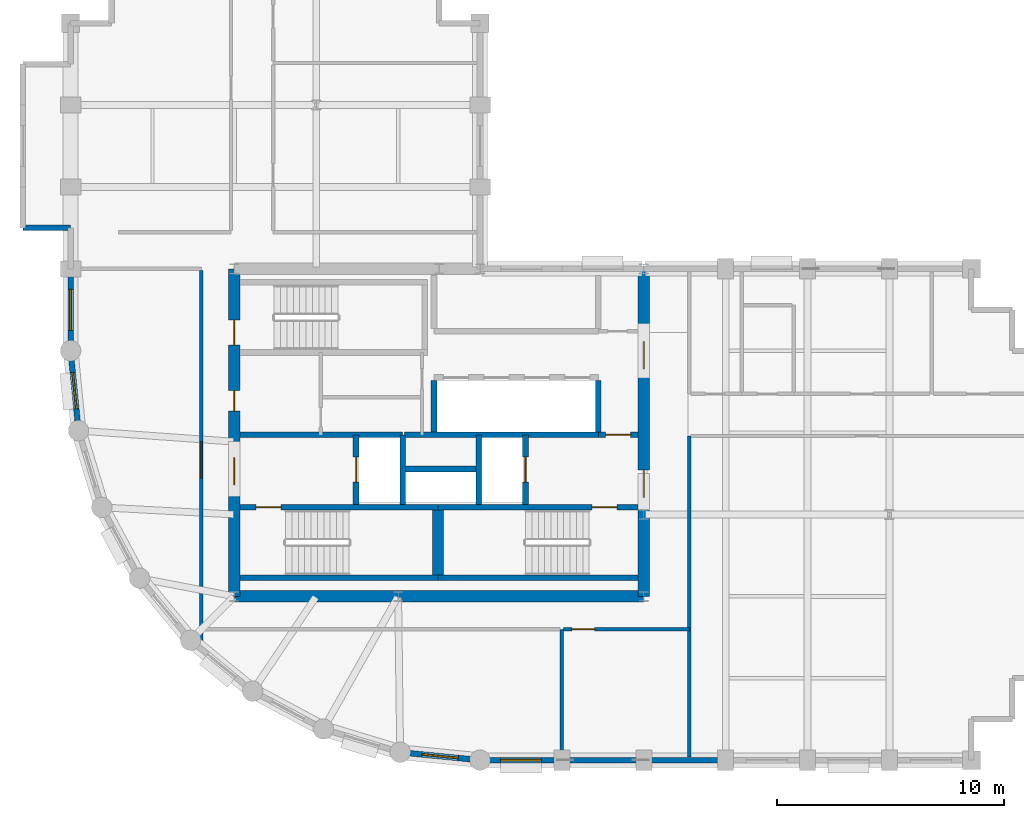
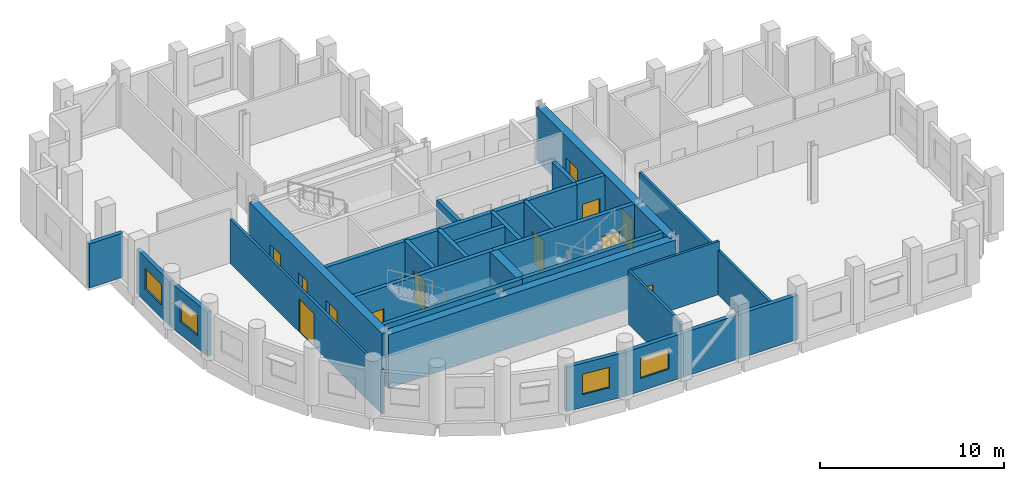
# One storey, part 3 of 8: 29 walls, 12 doors, 4 windows, 16 openings.
"""IFC4 building model written with IfcOpenShell, lengths in metres."""

from ifc_helpers import new_model, si_unit, direction, frame, frame_2d, origin, place, context, subcontext, project, spatial, rectangle, extrude, material, layer, layer_set, type_object, element, fill, save


model = new_model("IFC4")

# Units and contexts
model_context = context("Model", 3, precision=1e-05, world=origin(), true_north=direction((0.0, 1.0)))
body_context = subcontext(model_context, "Body", "Model", "MODEL_VIEW")
ifc_project = project(units=[si_unit("LENGTHUNIT", "METRE"), si_unit("AREAUNIT", "SQUARE_METRE"), si_unit("VOLUMEUNIT", "CUBIC_METRE"), si_unit("PLANEANGLEUNIT", "RADIAN"), si_unit("MASSUNIT", "GRAM", prefix="KILO")], contexts=[model_context])

# Site, building, storey
site_placement = place(None, origin())
site = spatial("IfcSite", under=ifc_project, at=site_placement, CompositionType="ELEMENT")
building_placement = place(site_placement, origin())
building = spatial("IfcBuilding", under=site, at=building_placement, Name="Solnavia Interchange Tower", CompositionType="ELEMENT")
storey_placement = place(building_placement, frame((0.0, 0.0, 190.0)))
storey = spatial("IfcBuildingStorey", under=building, at=storey_placement, Name="L47", CompositionType="ELEMENT", Elevation=190.0)

# Wall, opening, window
ifc_material_1 = material(Name="Concrete C40/50", Category="concrete")
ifc_layer_1 = layer(ifc_material_1, 0.25)
ifc_layer_set_1 = layer_set([ifc_layer_1], Name="Concrete C40/50")
wall_type_1 = type_object("IfcWallType", Name="Wall-ExtSpandrel-250", PredefinedType="STANDARD", material=ifc_layer_set_1)
wall_1_placement = place(storey_placement, frame((28.800048828125, 3.60009765625, 0.0), z_axis=(0.0, 0.0, 1.0), x_axis=(-1.0, 0.0, 0.0)))
wall_1 = element("IfcWall", 1, at=wall_1_placement, inside=storey, type_object=wall_type_1, Name="EXW-L47-01 Exterior precast spandrel wall", PredefinedType="STANDARD", context=body_context, shape_type="SweptSolid", body=[
    extrude(rectangle(XDim=3.60009765625, YDim=0.25, at=frame_2d((1.800048828125, 0.0))), origin(), (0.0, 0.0, 1.0), 2.929931640625),
])
opening_1_placement = place(wall_1_placement, frame((0.89990234375, 0.0, 0.85009765625)))
opening_1 = element("IfcOpeningElement", 2, at=opening_1_placement, cuts=wall_1, Name="Opening WIN-02", PredefinedType="OPENING", context=body_context, shape_type="SweptSolid", body=[
    extrude(rectangle(XDim=1.800048828125, YDim=1.35009765625, at=frame_2d((0.89990234375, 0.675048828125))), frame((0.0, 0.135009765625, 0.0), z_axis=(0.0, -1.0, 0.0), x_axis=(1.0, 0.0, 0.0)), (0.0, 0.0, 1.0), 0.27001953125),
])
ifc_material_2 = material(Name="Thermal-Break Aluminium & Low-E Glass", Category="aluminium")
window_type_1 = type_object("IfcWindowType", Name="Window-Ribbon-1800x1350", PartitioningType="SINGLE_PANEL", PredefinedType="WINDOW", material=ifc_material_2)
window_1_placement = place(opening_1_placement, origin())
window_1 = element("IfcWindow", 3, at=window_1_placement, inside=storey, type_object=window_type_1, Name="WIN-L47-01 Facade ribbon window", OverallHeight=1.35009765625, OverallWidth=1.800048828125, PartitioningType="SINGLE_PANEL", PredefinedType="WINDOW", context=body_context, shape_type="SweptSolid", body=[
    extrude(rectangle(XDim=1.800048828125, YDim=1.35009765625, at=frame_2d((0.89990234375, 0.675048828125))), frame((0.0, 0.030029296875, 0.0), z_axis=(0.0, -1.0, 0.0), x_axis=(1.0, 0.0, 0.0)), (0.0, 0.0, 1.0), 0.06005859375),
])
fill(opening_1, window_1)

# Walls
wall_2_placement = place(storey_placement, frame((32.39990234375, 3.60009765625, 0.0), z_axis=(0.0, 0.0, 1.0), x_axis=(-1.0, 0.0, 0.0)))
element("IfcWall", 4, at=wall_2_placement, inside=storey, type_object=wall_type_1, Name="EXW-L47-02 Exterior precast spandrel wall", PredefinedType="STANDARD", context=body_context, shape_type="SweptSolid", body=[
    extrude(rectangle(XDim=3.599853515625, YDim=0.25, at=frame_2d((1.7998046875, 0.0))), origin(), (0.0, 0.0, 1.0), 2.929931640625),
])
wall_3_placement = place(storey_placement, frame((36.0, 3.60009765625, 0.0), z_axis=(0.0, 0.0, 1.0), x_axis=(-1.0, 0.0, 0.0)))
element("IfcWall", 5, at=wall_3_placement, inside=storey, type_object=wall_type_1, Name="EXW-L47-03 Exterior precast spandrel wall", PredefinedType="STANDARD", context=body_context, shape_type="SweptSolid", body=[
    extrude(rectangle(XDim=3.60009765625, YDim=0.25, at=frame_2d((1.800048828125, 0.0))), origin(), (0.0, 0.0, 1.0), 2.929931640625),
])
wall_4_placement = place(storey_placement, frame((5.10009765625, 27.0, 0.0), z_axis=(0.0, 0.0, 1.0), x_axis=(1.0, 0.0, 0.0)))
element("IfcWall", 6, at=wall_4_placement, inside=storey, type_object=wall_type_1, Name="EXW-L47-44 Exterior precast spandrel wall", PredefinedType="STANDARD", context=body_context, shape_type="SweptSolid", body=[
    extrude(rectangle(XDim=2.099853515625, YDim=0.25, at=frame_2d((1.0498046875, 0.0))), origin(), (0.0, 0.0, 1.0), 2.929931640625),
])

# Wall, opening, window
wall_5_placement = place(storey_placement, frame((7.199951171875, 21.60009765625, 0.0), z_axis=(0.0, 0.0, 1.0), x_axis=(0.0, 1.0, 0.0)))
wall_5 = element("IfcWall", 7, at=wall_5_placement, inside=storey, type_object=wall_type_1, Name="EXW-L47-46 Exterior precast spandrel wall", PredefinedType="STANDARD", context=body_context, shape_type="SweptSolid", body=[
    extrude(rectangle(XDim=3.599853515625, YDim=0.25, at=frame_2d((1.7998046875, 0.0))), origin(), (0.0, 0.0, 1.0), 2.929931640625),
])
opening_2_placement = place(wall_5_placement, frame((0.89990234375, 0.0, 0.85009765625)))
opening_2 = element("IfcOpeningElement", 8, at=opening_2_placement, cuts=wall_5, Name="Opening WIN-02", PredefinedType="OPENING", context=body_context, shape_type="SweptSolid", body=[
    extrude(rectangle(XDim=1.800048828125, YDim=1.35009765625, at=frame_2d((0.89990234375, 0.675048828125))), frame((0.0, 0.135009765625, 0.0), z_axis=(0.0, -1.0, 0.0), x_axis=(1.0, 0.0, 0.0)), (0.0, 0.0, 1.0), 0.27001953125),
])
window_2_placement = place(opening_2_placement, origin())
window_2 = element("IfcWindow", 9, at=window_2_placement, inside=storey, type_object=window_type_1, Name="WIN-L47-46 Facade ribbon window", OverallHeight=1.35009765625, OverallWidth=1.800048828125, PartitioningType="SINGLE_PANEL", PredefinedType="WINDOW", context=body_context, shape_type="SweptSolid", body=[
    extrude(rectangle(XDim=1.800048828125, YDim=1.35009765625, at=frame_2d((0.89990234375, 0.675048828125))), frame((0.0, 0.030029296875, 0.0), z_axis=(0.0, -1.0, 0.0), x_axis=(1.0, 0.0, 0.0)), (0.0, 0.0, 1.0), 0.06005859375),
])
fill(opening_2, window_2)

wall_6_placement = place(storey_placement, frame((7.5458984375, 18.087890625, 0.0), z_axis=(0.0, 0.0, 1.0), x_axis=(-0.09802417461, 0.995184033831, 0.0)))
wall_6 = element("IfcWall", 10, at=wall_6_placement, inside=storey, type_object=wall_type_1, Name="EXW-L47-47 Exterior precast spandrel wall", PredefinedType="STANDARD", context=body_context, shape_type="SweptSolid", body=[
    extrude(rectangle(XDim=3.529296875, YDim=0.25, at=frame_2d((1.7646484375, 0.0))), origin(), (0.0, 0.0, 1.0), 2.929931640625),
])
opening_3_placement = place(wall_6_placement, frame((0.965087890625, 0.0, 0.85009765625)))
opening_3 = element("IfcOpeningElement", 11, at=opening_3_placement, cuts=wall_6, Name="Opening WIN-04", PredefinedType="OPENING", context=body_context, shape_type="SweptSolid", body=[
    extrude(rectangle(XDim=1.60009765625, YDim=1.35009765625, at=frame_2d((0.800048828125, 0.675048828125))), frame((0.0, 0.135009765625, 0.0), z_axis=(0.0, -1.0, 0.0), x_axis=(1.0, 0.0, 0.0)), (0.0, 0.0, 1.0), 0.27001953125),
])
window_type_2 = type_object("IfcWindowType", Name="Window-Drum-1600x1350", PartitioningType="SINGLE_PANEL", PredefinedType="WINDOW", material=ifc_material_2)
window_3_placement = place(opening_3_placement, origin())
window_3 = element("IfcWindow", 12, at=window_3_placement, inside=storey, type_object=window_type_2, Name="WIN-L47-47 Facade ribbon window", OverallHeight=1.35009765625, OverallWidth=1.60009765625, PartitioningType="SINGLE_PANEL", PredefinedType="WINDOW", context=body_context, shape_type="SweptSolid", body=[
    extrude(rectangle(XDim=1.60009765625, YDim=1.35009765625, at=frame_2d((0.800048828125, 0.675048828125))), frame((0.0, 0.030029296875, 0.0), z_axis=(0.0, -1.0, 0.0), x_axis=(1.0, 0.0, 0.0)), (0.0, 0.0, 1.0), 0.06005859375),
])
fill(opening_3, window_3)

wall_7_placement = place(storey_placement, frame((25.199951171875, 3.60009765625, 0.0), z_axis=(0.0, 0.0, 1.0), x_axis=(-0.995183369056, 0.098030923459, 0.0)))
wall_7 = element("IfcWall", 13, at=wall_7_placement, inside=storey, type_object=wall_type_1, Name="EXW-L47-54 Exterior precast spandrel wall", PredefinedType="STANDARD", context=body_context, shape_type="SweptSolid", body=[
    extrude(rectangle(XDim=3.529052734375, YDim=0.25, at=frame_2d((1.7646484375, 0.0))), origin(), (0.0, 0.0, 1.0), 2.929931640625),
])
opening_4_placement = place(wall_7_placement, frame((0.965087890625, 0.0, 0.85009765625)))
opening_4 = element("IfcOpeningElement", 14, at=opening_4_placement, cuts=wall_7, Name="Opening WIN-04", PredefinedType="OPENING", context=body_context, shape_type="SweptSolid", body=[
    extrude(rectangle(XDim=1.60009765625, YDim=1.35009765625, at=frame_2d((0.800048828125, 0.675048828125))), frame((0.0, 0.135009765625, 0.0), z_axis=(0.0, -1.0, 0.0), x_axis=(1.0, 0.0, 0.0)), (0.0, 0.0, 1.0), 0.27001953125),
])
window_4_placement = place(opening_4_placement, origin())
window_4 = element("IfcWindow", 15, at=window_4_placement, inside=storey, type_object=window_type_2, Name="WIN-L47-54 Facade ribbon window", OverallHeight=1.35009765625, OverallWidth=1.60009765625, PartitioningType="SINGLE_PANEL", PredefinedType="WINDOW", context=body_context, shape_type="SweptSolid", body=[
    extrude(rectangle(XDim=1.60009765625, YDim=1.35009765625, at=frame_2d((0.800048828125, 0.675048828125))), frame((0.0, 0.030029296875, 0.0), z_axis=(0.0, -1.0, 0.0), x_axis=(1.0, 0.0, 0.0)), (0.0, 0.0, 1.0), 0.06005859375),
])
fill(opening_4, window_4)

# Wall
ifc_material_3 = material(Name="Gypsum Plasterboard & Steel Stud", Category="steel")
ifc_layer_2 = layer(ifc_material_3, 0.14990234375)
ifc_layer_set_2 = layer_set([ifc_layer_2], Name="Gypsum Plasterboard & Steel Stud")
wall_type_2 = type_object("IfcWallType", Name="Wall-Partition-150", PredefinedType="PARTITIONING", material=ifc_layer_set_2)
wall_8_placement = place(storey_placement, frame((28.800048828125, 9.35009765625, 0.0), z_axis=(0.0, 0.0, 1.0), x_axis=(0.0, -1.0, 0.0)))
element("IfcWall", 16, at=wall_8_placement, inside=storey, type_object=wall_type_2, Name="PTW-L47-08 Interior partition wall", PredefinedType="PARTITIONING", context=body_context, shape_type="SweptSolid", body=[
    extrude(rectangle(XDim=5.62109375, YDim=0.14990234375, at=frame_2d((2.810546875, 0.0))), origin(), (0.0, 0.0, 1.0), 3.534912109375),
])

# Wall, opening, door
wall_9_placement = place(storey_placement, frame((12.949951171875, 8.60888671875, 0.0), z_axis=(0.0, 0.0, 1.0), x_axis=(0.0, 1.0, 0.0)))
wall_9 = element("IfcWall", 17, at=wall_9_placement, inside=storey, type_object=wall_type_2, Name="PTW-L47-09 Interior partition wall", PredefinedType="PARTITIONING", context=body_context, shape_type="SweptSolid", body=[
    extrude(rectangle(XDim=16.51220703125, YDim=0.14990234375, at=frame_2d((8.256103515625, 0.0))), origin(), (0.0, 0.0, 1.0), 2.929931640625),
])
opening_5_placement = place(wall_9_placement, frame((7.39111328125, 0.0, 0.0)))
opening_5 = element("IfcOpeningElement", 18, at=opening_5_placement, cuts=wall_9, Name="Opening DR-08", PredefinedType="OPENING", context=body_context, shape_type="SweptSolid", body=[
    extrude(rectangle(XDim=1.60009765625, YDim=2.199951171875, at=frame_2d((0.800048828125, 1.10009765625))), frame((0.0, 0.0849609375, 0.0), z_axis=(0.0, -1.0, 0.0), x_axis=(1.0, 0.0, 0.0)), (0.0, 0.0, 1.0), 0.169921875),
])
ifc_material_4 = material(Name="Thermally Broken Aluminium & Toughened Glass", Category="aluminium")
door_type_1 = type_object("IfcDoorType", Name="Door-RetailDouble-1600x2200", OperationType="DOUBLE_DOOR_SINGLE_SWING", PredefinedType="DOOR", material=ifc_material_4)
door_1_placement = place(opening_5_placement, origin())
door_1 = element("IfcDoor", 19, at=door_1_placement, inside=storey, type_object=door_type_1, Name="DR-L47-03 Interior room door", OperationType="DOUBLE_DOOR_SINGLE_SWING", OverallHeight=2.199951171875, OverallWidth=1.60009765625, PredefinedType="DOOR", context=body_context, shape_type="SweptSolid", body=[
    extrude(rectangle(XDim=1.60009765625, YDim=2.199951171875, at=frame_2d((0.800048828125, 1.10009765625))), frame((0.0, 0.02490234375, 0.0), z_axis=(0.0, -1.0, 0.0), x_axis=(1.0, 0.0, 0.0)), (0.0, 0.0, 1.0), 0.050048828125),
])
fill(opening_5, door_1)

wall_10_placement = place(storey_placement, frame((28.87890625, 9.35009765625, 0.0), z_axis=(0.0, 0.0, 1.0), x_axis=(1.0, 0.0, 0.0)))
wall_10 = element("IfcWall", 20, at=wall_10_placement, inside=storey, type_object=wall_type_2, Name="PTW-L47-11 Interior partition wall", PredefinedType="PARTITIONING", context=body_context, shape_type="SweptSolid", body=[
    extrude(rectangle(XDim=5.52099609375, YDim=0.14990234375, at=frame_2d((2.760498046875, 0.0))), origin(), (0.0, 0.0, 1.0), 3.534912109375),
])
opening_6_placement = place(wall_10_placement, frame((0.360107421875, 0.0, 0.0)))
opening_6 = element("IfcOpeningElement", 21, at=opening_6_placement, cuts=wall_10, Name="Opening DR-07", PredefinedType="OPENING", context=body_context, shape_type="SweptSolid", body=[
    extrude(rectangle(XDim=1.0, YDim=2.10009765625, at=frame_2d((0.5, 1.050048828125))), frame((0.0, 0.0849609375, 0.0), z_axis=(0.0, -1.0, 0.0), x_axis=(1.0, 0.0, 0.0)), (0.0, 0.0, 1.0), 0.169921875),
])
ifc_material_5 = material(Name="Timber & Acoustic Glazed Office Door", Category="wood")
door_type_2 = type_object("IfcDoorType", Name="Door-Office-1000x2100", OperationType="SINGLE_SWING_RIGHT", PredefinedType="DOOR", material=ifc_material_5)
door_2_placement = place(opening_6_placement, origin())
door_2 = element("IfcDoor", 22, at=door_2_placement, inside=storey, type_object=door_type_2, Name="DR-L47-04 Interior room door", OperationType="SINGLE_SWING_LEFT", OverallHeight=2.10009765625, OverallWidth=1.0, PredefinedType="DOOR", context=body_context, shape_type="SweptSolid", body=[
    extrude(rectangle(XDim=1.0, YDim=2.10009765625, at=frame_2d((0.5, 1.050048828125))), frame((0.0, 0.02490234375, 0.0), z_axis=(0.0, -1.0, 0.0), x_axis=(1.0, 0.0, 0.0)), (0.0, 0.0, 1.0), 0.050048828125),
])
fill(opening_6, door_2)

# Walls
wall_11_placement = place(storey_placement, frame((34.39990234375, 3.72900390625, 0.0), z_axis=(0.0, 0.0, 1.0), x_axis=(0.0, 1.0, 0.0)))
element("IfcWall", 23, at=wall_11_placement, inside=storey, type_object=wall_type_2, Name="PTW-L47-12 Interior partition wall", PredefinedType="PARTITIONING", context=body_context, shape_type="SweptSolid", body=[
    extrude(rectangle(XDim=14.12109375, YDim=0.14990234375, at=frame_2d((7.060546875, 0.0))), origin(), (0.0, 0.0, 1.0), 2.929931640625),
])
ifc_layer_3 = layer(ifc_material_1, 0.25)
ifc_layer_set_3 = layer_set([ifc_layer_3], Name="Concrete C40/50")
wall_type_3 = type_object("IfcWallType", Name="Wall-ShaftCore-250", PredefinedType="SHEAR", material=ifc_layer_set_3)
wall_12_placement = place(storey_placement, frame((14.64990234375, 11.625, 0.0), z_axis=(0.0, 0.0, 1.0), x_axis=(1.0, 0.0, 0.0)))
element("IfcWall", 24, at=wall_12_placement, inside=storey, type_object=wall_type_3, Name="SHW-L47-ST1S Core shear wall", PredefinedType="SHEAR", context=body_context, shape_type="SweptSolid", body=[
    extrude(rectangle(XDim=8.7001953125, YDim=0.25, at=frame_2d((4.35009765625, 0.0))), origin(), (0.0, 0.0, 1.0), 3.550048828125),
])

# Wall, opening, door
wall_13_placement = place(storey_placement, frame((14.64990234375, 14.715087890625, 0.0), z_axis=(0.0, 0.0, 1.0), x_axis=(1.0, 0.0, 0.0)))
wall_13 = element("IfcWall", 25, at=wall_13_placement, inside=storey, type_object=wall_type_3, Name="SHW-L47-ST1N Core shear wall", PredefinedType="SHEAR", context=body_context, shape_type="SweptSolid", body=[
    extrude(rectangle(XDim=8.7001953125, YDim=0.25, at=frame_2d((4.35009765625, 0.0))), origin(), (0.0, 0.0, 1.0), 3.550048828125),
])
opening_7_placement = place(wall_13_placement, frame((0.705078125, 0.0, 0.0)))
opening_7 = element("IfcOpeningElement", 26, at=opening_7_placement, cuts=wall_13, Name="Opening DR-01", PredefinedType="OPENING", context=body_context, shape_type="SweptSolid", body=[
    extrude(rectangle(XDim=1.10009765625, YDim=2.10009765625, at=frame_2d((0.550048828125, 1.050048828125))), frame((0.0, 0.135009765625, 0.0), z_axis=(0.0, -1.0, 0.0), x_axis=(1.0, 0.0, 0.0)), (0.0, 0.0, 1.0), 0.27001953125),
])
ifc_material_6 = material(Name="Steel Fire-Rated Leaf & Frame", Category="steel")
door_type_3 = type_object("IfcDoorType", Name="Door-StairFire-1100x2100", OperationType="SINGLE_SWING_LEFT", PredefinedType="DOOR", material=ifc_material_6)
door_3_placement = place(opening_7_placement, origin())
door_3 = element("IfcDoor", 27, at=door_3_placement, inside=storey, type_object=door_type_3, Name="DR-L47-ST1 Core fire door", OperationType="SINGLE_SWING_LEFT", OverallHeight=2.10009765625, OverallWidth=1.10009765625, PredefinedType="DOOR", context=body_context, shape_type="SweptSolid", body=[
    extrude(rectangle(XDim=1.10009765625, YDim=2.10009765625, at=frame_2d((0.550048828125, 1.050048828125))), frame((0.0, 0.02490234375, 0.0), z_axis=(0.0, -1.0, 0.0), x_axis=(1.0, 0.0, 0.0)), (0.0, 0.0, 1.0), 0.050048828125),
])
fill(opening_7, door_3)

# Wall
wall_14_placement = place(storey_placement, frame((23.35009765625, 11.625, 0.0), z_axis=(0.0, 0.0, 1.0), x_axis=(1.0, 0.0, 0.0)))
element("IfcWall", 28, at=wall_14_placement, inside=storey, type_object=wall_type_3, Name="SHW-L47-ST2S Core shear wall", PredefinedType="SHEAR", context=body_context, shape_type="SweptSolid", body=[
    extrude(rectangle(XDim=8.7998046875, YDim=0.25, at=frame_2d((4.39990234375, 0.0))), origin(), (0.0, 0.0, 1.0), 3.550048828125),
])

# Wall, opening, door
wall_15_placement = place(storey_placement, frame((23.35009765625, 14.715087890625, 0.0), z_axis=(0.0, 0.0, 1.0), x_axis=(1.0, 0.0, 0.0)))
wall_15 = element("IfcWall", 29, at=wall_15_placement, inside=storey, type_object=wall_type_3, Name="SHW-L47-ST2N Core shear wall", PredefinedType="SHEAR", context=body_context, shape_type="SweptSolid", body=[
    extrude(rectangle(XDim=8.7998046875, YDim=0.25, at=frame_2d((4.39990234375, 0.0))), origin(), (0.0, 0.0, 1.0), 3.550048828125),
])
opening_8_placement = place(wall_15_placement, frame((6.77490234375, 0.0, 0.0)))
opening_8 = element("IfcOpeningElement", 30, at=opening_8_placement, cuts=wall_15, Name="Opening DR-01", PredefinedType="OPENING", context=body_context, shape_type="SweptSolid", body=[
    extrude(rectangle(XDim=1.10009765625, YDim=2.10009765625, at=frame_2d((0.550048828125, 1.050048828125))), frame((0.0, 0.135009765625, 0.0), z_axis=(0.0, -1.0, 0.0), x_axis=(1.0, 0.0, 0.0)), (0.0, 0.0, 1.0), 0.27001953125),
])
door_4_placement = place(opening_8_placement, origin())
door_4 = element("IfcDoor", 31, at=door_4_placement, inside=storey, type_object=door_type_3, Name="DR-L47-ST2 Core fire door", OperationType="SINGLE_SWING_LEFT", OverallHeight=2.10009765625, OverallWidth=1.10009765625, PredefinedType="DOOR", context=body_context, shape_type="SweptSolid", body=[
    extrude(rectangle(XDim=1.10009765625, YDim=2.10009765625, at=frame_2d((0.550048828125, 1.050048828125))), frame((0.0, 0.02490234375, 0.0), z_axis=(0.0, -1.0, 0.0), x_axis=(1.0, 0.0, 0.0)), (0.0, 0.0, 1.0), 0.050048828125),
])
fill(opening_8, door_4)

# Wall
ifc_layer_4 = layer(ifc_material_1, 0.25)
ifc_layer_set_4 = layer_set([ifc_layer_4], Name="Concrete C40/50")
wall_type_4 = type_object("IfcWallType", Name="Wall-ShaftPart-250", PredefinedType="PARTITIONING", material=ifc_layer_set_4)
wall_16_placement = place(storey_placement, frame((14.64990234375, 17.89990234375, 0.0), z_axis=(0.0, 0.0, 1.0), x_axis=(1.0, 0.0, 0.0)))
element("IfcWall", 32, at=wall_16_placement, inside=storey, type_object=wall_type_4, Name="SHW-L47-FFLW-N Core shaft wall", PredefinedType="PARTITIONING", context=body_context, shape_type="SweptSolid", body=[
    extrude(rectangle(XDim=7.150146484375, YDim=0.25, at=frame_2d((3.5751953125, 0.0))), origin(), (0.0, 0.0, 1.0), 3.534912109375),
])

# Wall, opening, door
wall_17_placement = place(storey_placement, frame((19.75, 14.840087890625, 0.0), z_axis=(0.0, 0.0, 1.0), x_axis=(0.0, 1.0, 0.0)))
wall_17 = element("IfcWall", 33, at=wall_17_placement, inside=storey, type_object=wall_type_4, Name="SHW-L47-FFL1-W Core shaft wall", PredefinedType="PARTITIONING", context=body_context, shape_type="SweptSolid", body=[
    extrude(rectangle(XDim=3.059814453125, YDim=0.25, at=frame_2d((1.52978515625, 0.0))), origin(), (0.0, 0.0, 1.0), 3.534912109375),
])
opening_9_placement = place(wall_17_placement, frame((0.97998046875, 0.0, 0.0)))
opening_9 = element("IfcOpeningElement", 34, at=opening_9_placement, cuts=wall_17, Name="Opening LD-01", PredefinedType="OPENING", context=body_context, shape_type="SweptSolid", body=[
    extrude(rectangle(XDim=1.10009765625, YDim=2.10009765625, at=frame_2d((0.550048828125, 1.050048828125))), frame((0.0, 0.135009765625, 0.0), z_axis=(0.0, -1.0, 0.0), x_axis=(1.0, 0.0, 0.0)), (0.0, 0.0, 1.0), 0.27001953125),
])
ifc_material_7 = material(Name="Brushed Stainless Steel Sliding Door", Category="steel")
door_type_4 = type_object("IfcDoorType", Name="Door-LiftLanding-1100x2100", OperationType="SLIDING_TO_LEFT", PredefinedType="DOOR", material=ifc_material_7)
door_5_placement = place(opening_9_placement, origin())
door_5 = element("IfcDoor", 35, at=door_5_placement, inside=storey, type_object=door_type_4, Name="LD-L47-FFL1 Lift landing sliding door", OperationType="SLIDING_TO_LEFT", OverallHeight=2.10009765625, OverallWidth=1.10009765625, PredefinedType="DOOR", context=body_context, shape_type="SweptSolid", body=[
    extrude(rectangle(XDim=1.10009765625, YDim=2.10009765625, at=frame_2d((0.550048828125, 1.050048828125))), frame((0.0, 0.02490234375, 0.0), z_axis=(0.0, -1.0, 0.0), x_axis=(1.0, 0.0, 0.0)), (0.0, 0.0, 1.0), 0.050048828125),
])
fill(opening_9, door_5)

# Walls
wall_18_placement = place(storey_placement, frame((21.800048828125, 14.840087890625, 0.0), z_axis=(0.0, 0.0, 1.0), x_axis=(0.0, 1.0, 0.0)))
element("IfcWall", 36, at=wall_18_placement, inside=storey, type_object=wall_type_4, Name="SHW-L47-FFL1-E Core shaft wall", PredefinedType="PARTITIONING", context=body_context, shape_type="SweptSolid", body=[
    extrude(rectangle(XDim=3.059814453125, YDim=0.25, at=frame_2d((1.52978515625, 0.0))), origin(), (0.0, 0.0, 1.0), 3.534912109375),
])
wall_19_placement = place(storey_placement, frame((21.8798828125, 17.89990234375, 0.0), z_axis=(0.0, 0.0, 1.0), x_axis=(1.0, 0.0, 0.0)))
element("IfcWall", 37, at=wall_19_placement, inside=storey, type_object=wall_type_4, Name="SHW-L47-FFLE-N1 Core shaft wall", PredefinedType="PARTITIONING", context=body_context, shape_type="SweptSolid", body=[
    extrude(rectangle(XDim=8.52001953125, YDim=0.25, at=frame_2d((4.260009765625, 0.0))), origin(), (0.0, 0.0, 1.0), 3.534912109375),
])

# Wall, opening, door
wall_20_placement = place(storey_placement, frame((30.39990234375, 17.89990234375, 0.0), z_axis=(0.0, 0.0, 1.0), x_axis=(1.0, 0.0, 0.0)))
wall_20 = element("IfcWall", 38, at=wall_20_placement, inside=storey, type_object=wall_type_4, Name="SHW-L47-FFLE-N2 Core shaft wall", PredefinedType="PARTITIONING", context=body_context, shape_type="SweptSolid", body=[
    extrude(rectangle(XDim=1.75, YDim=0.25, at=frame_2d((0.875, 0.0))), origin(), (0.0, 0.0, 1.0), 3.534912109375),
])
opening_10_placement = place(wall_20_placement, frame((0.320068359375, 0.0, 0.0)))
opening_10 = element("IfcOpeningElement", 39, at=opening_10_placement, cuts=wall_20, Name="Opening DR-01", PredefinedType="OPENING", context=body_context, shape_type="SweptSolid", body=[
    extrude(rectangle(XDim=1.10009765625, YDim=2.10009765625, at=frame_2d((0.550048828125, 1.050048828125))), frame((0.0, 0.135009765625, 0.0), z_axis=(0.0, -1.0, 0.0), x_axis=(1.0, 0.0, 0.0)), (0.0, 0.0, 1.0), 0.27001953125),
])
door_6_placement = place(opening_10_placement, origin())
door_6 = element("IfcDoor", 40, at=door_6_placement, inside=storey, type_object=door_type_3, Name="DR-L47-LLC Core fire door", OperationType="SINGLE_SWING_LEFT", OverallHeight=2.10009765625, OverallWidth=1.10009765625, PredefinedType="DOOR", context=body_context, shape_type="SweptSolid", body=[
    extrude(rectangle(XDim=1.10009765625, YDim=2.10009765625, at=frame_2d((0.550048828125, 1.050048828125))), frame((0.0, 0.02490234375, 0.0), z_axis=(0.0, -1.0, 0.0), x_axis=(1.0, 0.0, 0.0)), (0.0, 0.0, 1.0), 0.050048828125),
])
fill(opening_10, door_6)

# Wall
wall_21_placement = place(storey_placement, frame((25.14990234375, 14.840087890625, 0.0), z_axis=(0.0, 0.0, 1.0), x_axis=(0.0, 1.0, 0.0)))
element("IfcWall", 41, at=wall_21_placement, inside=storey, type_object=wall_type_4, Name="SHW-L47-FFL2-W Core shaft wall", PredefinedType="PARTITIONING", context=body_context, shape_type="SweptSolid", body=[
    extrude(rectangle(XDim=3.059814453125, YDim=0.25, at=frame_2d((1.52978515625, 0.0))), origin(), (0.0, 0.0, 1.0), 3.534912109375),
])

# Wall, opening, door
wall_22_placement = place(storey_placement, frame((27.199951171875, 14.840087890625, 0.0), z_axis=(0.0, 0.0, 1.0), x_axis=(0.0, 1.0, 0.0)))
wall_22 = element("IfcWall", 42, at=wall_22_placement, inside=storey, type_object=wall_type_4, Name="SHW-L47-FFL2-E Core shaft wall", PredefinedType="PARTITIONING", context=body_context, shape_type="SweptSolid", body=[
    extrude(rectangle(XDim=3.059814453125, YDim=0.25, at=frame_2d((1.52978515625, 0.0))), origin(), (0.0, 0.0, 1.0), 3.534912109375),
])
opening_11_placement = place(wall_22_placement, frame((0.97998046875, 0.0, 0.0)))
opening_11 = element("IfcOpeningElement", 43, at=opening_11_placement, cuts=wall_22, Name="Opening LD-01", PredefinedType="OPENING", context=body_context, shape_type="SweptSolid", body=[
    extrude(rectangle(XDim=1.10009765625, YDim=2.10009765625, at=frame_2d((0.550048828125, 1.050048828125))), frame((0.0, 0.135009765625, 0.0), z_axis=(0.0, -1.0, 0.0), x_axis=(1.0, 0.0, 0.0)), (0.0, 0.0, 1.0), 0.27001953125),
])
door_7_placement = place(opening_11_placement, origin())
door_7 = element("IfcDoor", 44, at=door_7_placement, inside=storey, type_object=door_type_4, Name="LD-L47-FFL2 Lift landing sliding door", OperationType="SLIDING_TO_LEFT", OverallHeight=2.10009765625, OverallWidth=1.10009765625, PredefinedType="DOOR", context=body_context, shape_type="SweptSolid", body=[
    extrude(rectangle(XDim=1.10009765625, YDim=2.10009765625, at=frame_2d((0.550048828125, 1.050048828125))), frame((0.0, 0.02490234375, 0.0), z_axis=(0.0, -1.0, 0.0), x_axis=(1.0, 0.0, 0.0)), (0.0, 0.0, 1.0), 0.050048828125),
])
fill(opening_11, door_7)

# Walls
wall_23_placement = place(storey_placement, frame((21.800048828125, 16.39990234375, 0.0), z_axis=(0.0, 0.0, 1.0), x_axis=(1.0, 0.0, 0.0)))
element("IfcWall", 45, at=wall_23_placement, inside=storey, type_object=wall_type_4, Name="SHW-L47-MEP-N Core shaft wall", PredefinedType="PARTITIONING", context=body_context, shape_type="SweptSolid", body=[
    extrude(rectangle(XDim=3.349853515625, YDim=0.25, at=frame_2d((1.6748046875, 0.0))), origin(), (0.0, 0.0, 1.0), 3.534912109375),
])
for number, where, z_axis, x_axis, name in (
    (46, (23.179931640625, 18.02490234375, 0.0), (0.0, 0.0, 1.0), (0.0, 1.0, 0.0), "SHW-L47-B2W Core shaft wall"),
    (47, (30.39990234375, 18.02490234375, 0.0), (0.0, 0.0, 1.0), (0.0, 1.0, 0.0), "SHW-L47-B2E Core shaft wall"),
):
    element("IfcWall", number, at=place(storey_placement, frame(where, z_axis=z_axis, x_axis=x_axis)), inside=storey, type_object=wall_type_4, Name=name, PredefinedType="PARTITIONING", context=body_context, shape_type="SweptSolid", body=[
        extrude(rectangle(XDim=2.27001953125, YDim=0.25, at=frame_2d((1.135009765625, 0.0))), origin(), (0.0, 0.0, 1.0), 3.534912109375),
    ])
ifc_material_8 = material(Name="Concrete C60/75", Category="concrete")
ifc_layer_5 = layer(ifc_material_8, 0.5)
ifc_layer_set_5 = layer_set([ifc_layer_5], Name="Concrete C60/75")
wall_type_5 = type_object("IfcWallType", Name="Wall-ShearCore-500", PredefinedType="SHEAR", material=ifc_layer_set_5)
wall_24_placement = place(storey_placement, frame((14.39990234375, 10.800048828125, 0.0), z_axis=(0.0, 0.0, 1.0), x_axis=(1.0, 0.0, 0.0)))
element("IfcWall", 48, at=wall_24_placement, inside=storey, type_object=wall_type_5, Name="CRW-L47-S Core shear wall", PredefinedType="SHEAR", context=body_context, shape_type="SweptSolid", body=[
    extrude(rectangle(XDim=18.0, YDim=0.5, at=frame_2d((9.0, 0.0))), origin(), (0.0, 0.0, 1.0), 3.550048828125),
])

# Wall, openings, doors
wall_25_placement = place(storey_placement, frame((14.39990234375, 10.800048828125, 0.0), z_axis=(0.0, 0.0, 1.0), x_axis=(0.0, 1.0, 0.0)))
wall_25 = element("IfcWall", 49, at=wall_25_placement, inside=storey, type_object=wall_type_5, Name="CRW-L47-W Core shear wall", PredefinedType="SHEAR", context=body_context, shape_type="SweptSolid", body=[
    extrude(rectangle(XDim=14.39990234375, YDim=0.5, at=frame_2d((7.199951171875, 0.0))), origin(), (0.0, 0.0, 1.0), 3.550048828125),
])
opening_12_placement = place(wall_25_placement, frame((11.050048828125, 0.0, 0.0)))
opening_12 = element("IfcOpeningElement", 50, at=opening_12_placement, cuts=wall_25, Name="Opening DR-01", PredefinedType="OPENING", context=body_context, shape_type="SweptSolid", body=[
    extrude(rectangle(XDim=1.10009765625, YDim=2.10009765625, at=frame_2d((0.550048828125, 1.050048828125))), frame((0.0, 0.260009765625, 0.0), z_axis=(0.0, -1.0, 0.0), x_axis=(1.0, 0.0, 0.0)), (0.0, 0.0, 1.0), 0.52001953125),
])
opening_13_placement = place(wall_25_placement, frame((4.89990234375, 0.0, 0.0)))
opening_13 = element("IfcOpeningElement", 51, at=opening_13_placement, cuts=wall_25, Name="Opening DR-02", PredefinedType="OPENING", context=body_context, shape_type="SweptSolid", body=[
    extrude(rectangle(XDim=1.199951171875, YDim=2.10009765625, at=frame_2d((0.60009765625, 1.050048828125))), frame((0.0, 0.260009765625, 0.0), z_axis=(0.0, -1.0, 0.0), x_axis=(1.0, 0.0, 0.0)), (0.0, 0.0, 1.0), 0.52001953125),
])
opening_14_placement = place(wall_25_placement, frame((8.14990234375, 0.0, 0.0)))
opening_14 = element("IfcOpeningElement", 52, at=opening_14_placement, cuts=wall_25, Name="Opening DR-09", PredefinedType="OPENING", context=body_context, shape_type="SweptSolid", body=[
    extrude(rectangle(XDim=0.89990234375, YDim=2.10009765625, at=frame_2d((0.449951171875, 1.050048828125))), frame((0.0, 0.260009765625, 0.0), z_axis=(0.0, -1.0, 0.0), x_axis=(1.0, 0.0, 0.0)), (0.0, 0.0, 1.0), 0.52001953125),
])
ifc_material_9 = material(Name="Engineered Oak Veneer Door", Category="wood")
door_type_5 = type_object("IfcDoorType", Name="Door-Internal-900x2100", OperationType="SINGLE_SWING_LEFT", PredefinedType="DOOR", material=ifc_material_9)
door_8_placement = place(opening_14_placement, origin())
door_8 = element("IfcDoor", 53, at=door_8_placement, inside=storey, type_object=door_type_5, Name="DR-L47-CS1 Core fire door", OperationType="SINGLE_SWING_RIGHT", OverallHeight=2.10009765625, OverallWidth=0.89990234375, PredefinedType="DOOR", context=body_context, shape_type="SweptSolid", body=[
    extrude(rectangle(XDim=0.89990234375, YDim=2.10009765625, at=frame_2d((0.449951171875, 1.050048828125))), frame((0.0, 0.02490234375, 0.0), z_axis=(0.0, -1.0, 0.0), x_axis=(1.0, 0.0, 0.0)), (0.0, 0.0, 1.0), 0.050048828125),
])
fill(opening_14, door_8)
ifc_material_10 = material(Name="Steel Fire-Rated Vision-Panel Door", Category="steel")
door_type_6 = type_object("IfcDoorType", Name="Door-LobbyFire-1200x2100", OperationType="SINGLE_SWING_RIGHT", PredefinedType="DOOR", material=ifc_material_10)
door_9_placement = place(opening_13_placement, origin())
door_9 = element("IfcDoor", 54, at=door_9_placement, inside=storey, type_object=door_type_6, Name="DR-L47-FFL1W Core fire door", OperationType="SINGLE_SWING_RIGHT", OverallHeight=2.10009765625, OverallWidth=1.199951171875, PredefinedType="DOOR", context=body_context, shape_type="SweptSolid", body=[
    extrude(rectangle(XDim=1.199951171875, YDim=2.10009765625, at=frame_2d((0.60009765625, 1.050048828125))), frame((0.0, 0.02490234375, 0.0), z_axis=(0.0, -1.0, 0.0), x_axis=(1.0, 0.0, 0.0)), (0.0, 0.0, 1.0), 0.050048828125),
])
fill(opening_13, door_9)
door_10_placement = place(opening_12_placement, origin())
door_10 = element("IfcDoor", 55, at=door_10_placement, inside=storey, type_object=door_type_3, Name="DR-L47-ST3 Core fire door", OperationType="SINGLE_SWING_RIGHT", OverallHeight=2.10009765625, OverallWidth=1.10009765625, PredefinedType="DOOR", context=body_context, shape_type="SweptSolid", body=[
    extrude(rectangle(XDim=1.10009765625, YDim=2.10009765625, at=frame_2d((0.550048828125, 1.050048828125))), frame((0.0, 0.02490234375, 0.0), z_axis=(0.0, -1.0, 0.0), x_axis=(1.0, 0.0, 0.0)), (0.0, 0.0, 1.0), 0.050048828125),
])
fill(opening_12, door_10)

wall_26_placement = place(storey_placement, frame((32.39990234375, 10.800048828125, 0.0), z_axis=(0.0, 0.0, 1.0), x_axis=(0.0, 1.0, 0.0)))
wall_26 = element("IfcWall", 56, at=wall_26_placement, inside=storey, type_object=wall_type_5, Name="CRW-L47-E Core shear wall", PredefinedType="SHEAR", context=body_context, shape_type="SweptSolid", body=[
    extrude(rectangle(XDim=14.39990234375, YDim=0.5, at=frame_2d((7.199951171875, 0.0))), origin(), (0.0, 0.0, 1.0), 3.550048828125),
])
opening_15_placement = place(wall_26_placement, frame((4.35009765625, 0.0, 0.0)))
opening_15 = element("IfcOpeningElement", 57, at=opening_15_placement, cuts=wall_26, Name="Opening DR-02", PredefinedType="OPENING", context=body_context, shape_type="SweptSolid", body=[
    extrude(rectangle(XDim=1.199951171875, YDim=2.10009765625, at=frame_2d((0.60009765625, 1.050048828125))), frame((0.0, 0.260009765625, 0.0), z_axis=(0.0, -1.0, 0.0), x_axis=(1.0, 0.0, 0.0)), (0.0, 0.0, 1.0), 0.52001953125),
])
opening_16_placement = place(wall_26_placement, frame((10.0, 0.0, 0.0)))
opening_16 = element("IfcOpeningElement", 58, at=opening_16_placement, cuts=wall_26, Name="Opening DR-02", PredefinedType="OPENING", context=body_context, shape_type="SweptSolid", body=[
    extrude(rectangle(XDim=1.199951171875, YDim=2.10009765625, at=frame_2d((0.60009765625, 1.050048828125))), frame((0.0, 0.260009765625, 0.0), z_axis=(0.0, -1.0, 0.0), x_axis=(1.0, 0.0, 0.0)), (0.0, 0.0, 1.0), 0.52001953125),
])
door_11_placement = place(opening_15_placement, origin())
door_11 = element("IfcDoor", 59, at=door_11_placement, inside=storey, type_object=door_type_6, Name="DR-L47-FFL2E Core fire door", OperationType="SINGLE_SWING_LEFT", OverallHeight=2.10009765625, OverallWidth=1.199951171875, PredefinedType="DOOR", context=body_context, shape_type="SweptSolid", body=[
    extrude(rectangle(XDim=1.199951171875, YDim=2.10009765625, at=frame_2d((0.60009765625, 1.050048828125))), frame((0.0, 0.02490234375, 0.0), z_axis=(0.0, -1.0, 0.0), x_axis=(1.0, 0.0, 0.0)), (0.0, 0.0, 1.0), 0.050048828125),
])
fill(opening_15, door_11)
door_12_placement = place(opening_16_placement, origin())
door_12 = element("IfcDoor", 60, at=door_12_placement, inside=storey, type_object=door_type_6, Name="DR-L47-LLE Core fire door", OperationType="SINGLE_SWING_RIGHT", OverallHeight=2.10009765625, OverallWidth=1.199951171875, PredefinedType="DOOR", context=body_context, shape_type="SweptSolid", body=[
    extrude(rectangle(XDim=1.199951171875, YDim=2.10009765625, at=frame_2d((0.60009765625, 1.050048828125))), frame((0.0, 0.02490234375, 0.0), z_axis=(0.0, -1.0, 0.0), x_axis=(1.0, 0.0, 0.0)), (0.0, 0.0, 1.0), 0.050048828125),
])
fill(opening_16, door_12)

# Wall
wall_27_placement = place(storey_placement, frame((23.35009765625, 11.75, 0.0), z_axis=(0.0, 0.0, 1.0), x_axis=(0.0, 1.0, 0.0)))
element("IfcWall", 61, at=wall_27_placement, inside=storey, type_object=wall_type_5, Name="SHW-L47-ST12M Core shear wall", PredefinedType="SHEAR", context=body_context, shape_type="SweptSolid", body=[
    extrude(rectangle(XDim=2.840087890625, YDim=0.5, at=frame_2d((1.419921875, 0.0))), origin(), (0.0, 0.0, 1.0), 3.550048828125),
])

save(model, "model.ifc")
